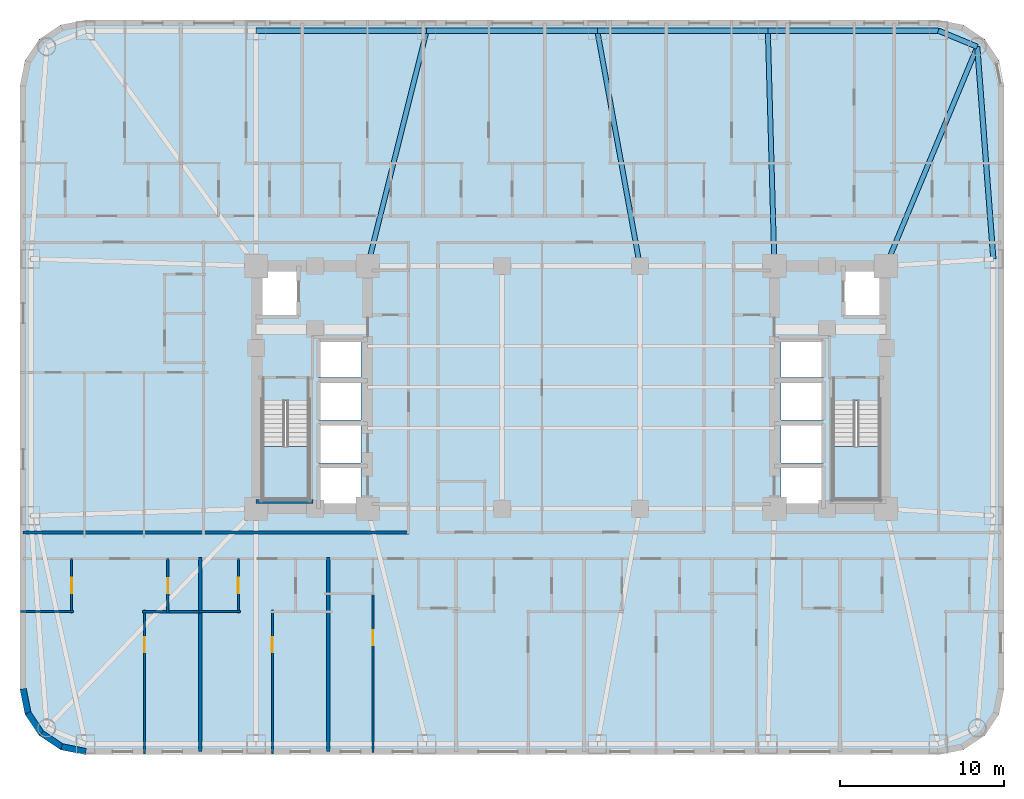
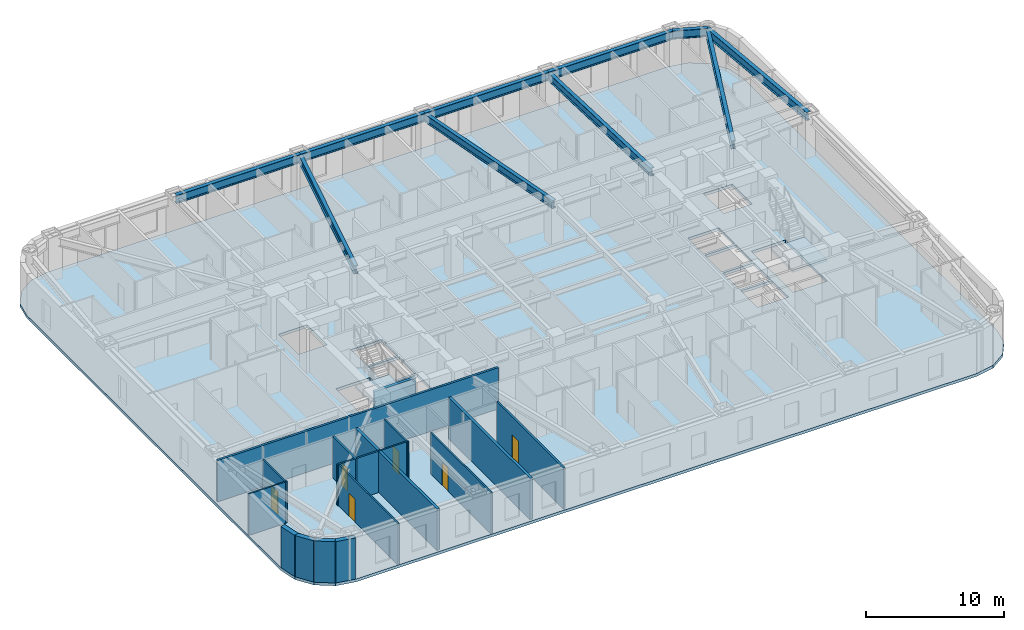
# One storey, part 2 of 11: 17 walls, 10 beams, 6 doors, 3 slabs, 6 openings, 2 elements without a shape of their own.
"""IFC4 building model written with IfcOpenShell, lengths in metres."""

import ifcopenshell
import ifcopenshell.guid

model = None  # the IFC model being written
_history = None  # IfcOwnerHistory: only IFC2X3 demands one
_inside = {}  # id of a spatial element -> (the spatial element, [elements in it])
_under = {}  # id of a project, library or spatial element -> (it, [spatial elements below it])
_declared = {}  # id of a project -> (the project, [libraries it declares])
_typed = {}  # id of a type object -> (the type object, [elements of that type])
_made_of = {}  # id of a material, layer set ... -> (it, [elements and type objects made of it])


def new_model(schema):
    """Start an empty IFC model of exactly this schema.

    Asked for "IFC4X3", IfcOpenShell would pick the latest addendum, in which some entities
    have other attributes; the version numbers below select the first issue.
    IFC2X3 requires an IfcOwnerHistory on every rooted entity: one is made here for all.
    """
    global model, _history
    if schema == "IFC4X3":
        model = ifcopenshell.file(schema_version=(4, 3, 0, 0))
    else:
        model = ifcopenshell.file(schema=schema)
    _inside.clear()
    _under.clear()
    _declared.clear()
    _typed.clear()
    _made_of.clear()
    _history = None
    if model.schema == "IFC2X3":
        org = make("IfcOrganization", Name="unknown")
        user = make(
            "IfcPersonAndOrganization",
            ThePerson=make("IfcPerson", FamilyName="unknown"),
            TheOrganization=org,
        )
        app = make(
            "IfcApplication",
            ApplicationDeveloper=org,
            Version="unknown",
            ApplicationFullName="unknown",
            ApplicationIdentifier="unknown",
        )
        _history = make(
            "IfcOwnerHistory",
            OwningUser=user,
            OwningApplication=app,
            ChangeAction="ADDED",
            CreationDate=0,
        )
    return model


def make(cls, **values):
    """One entity of the class cls with the attributes given. An attribute that is None is left unset."""
    return model.create_entity(
        cls, **{name: value for name, value in values.items() if value is not None}
    )


def rooted(cls, **values):
    """An entity with a GlobalId (a new one), such as an element, a storey or a relation."""
    return make(cls, GlobalId=ifcopenshell.guid.new(), OwnerHistory=_history, **values)


def si_unit(unit_type, name, prefix=None):
    """IfcSIUnit, for example si_unit("LENGTHUNIT", "METRE", prefix="MILLI")."""
    return make("IfcSIUnit", UnitType=unit_type, Prefix=prefix, Name=name)


def assignment(units):
    """IfcUnitAssignment: the units of a project."""
    return None if units is None else make("IfcUnitAssignment", Units=units)


def point(xyz):
    """IfcCartesianPoint."""
    return None if xyz is None else make("IfcCartesianPoint", Coordinates=xyz)


def direction(xyz):
    """IfcDirection."""
    return None if xyz is None else make("IfcDirection", DirectionRatios=xyz)


def frame(location, z_axis=None, x_axis=None):
    """IfcAxis2Placement3D, a coordinate frame: its origin and axes. An axis left out is left unset."""
    return make(
        "IfcAxis2Placement3D",
        Location=point(location),
        Axis=direction(z_axis),
        RefDirection=direction(x_axis),
    )


def frame_2d(location, x_axis=None):
    """IfcAxis2Placement2D, a coordinate frame in the plane: its origin and x axis."""
    return make(
        "IfcAxis2Placement2D", Location=point(location), RefDirection=direction(x_axis)
    )


def origin():
    """The frame at (0, 0, 0) with its axes left unset."""
    return frame((0.0, 0.0, 0.0))


def origin_2d():
    """The frame at (0, 0) in the plane with its x axis left unset."""
    return frame_2d((0.0, 0.0))


def place(relative_to, where):
    """IfcLocalPlacement: puts the frame where relative to a parent placement (None: the world)."""
    return make(
        "IfcLocalPlacement", PlacementRelTo=relative_to, RelativePlacement=where
    )


def context(
    kind, dimensions, precision=None, world=None, true_north=None, identifier=None
):
    """IfcGeometricRepresentationContext, for example the 3D "Model" context."""
    return make(
        "IfcGeometricRepresentationContext",
        ContextIdentifier=identifier,
        ContextType=kind,
        CoordinateSpaceDimension=dimensions,
        Precision=precision,
        WorldCoordinateSystem=world,
        TrueNorth=true_north,
    )


def subcontext(parent, identifier, kind, view, scale=None):
    """IfcGeometricRepresentationSubContext, for example "Body" below "Model"."""
    return make(
        "IfcGeometricRepresentationSubContext",
        ContextIdentifier=identifier,
        ContextType=kind,
        ParentContext=parent,
        TargetScale=scale,
        TargetView=view,
    )


def project(units=None, contexts=None):
    """IfcProject with its units and contexts."""
    return rooted(
        "IfcProject",
        Name="project",
        RepresentationContexts=contexts,
        UnitsInContext=assignment(units),
    )


def spatial(cls, under=None, at=None, **own):
    """A site, building, storey or space (cls), placed at a placement, below another one or the project."""
    s = rooted(cls, ObjectPlacement=at, **own)
    if under is not None:
        _under.setdefault(under.id(), (under, []))[1].append(s)
    return s


def polyline(points):
    """IfcPolyline through the points."""
    return make("IfcPolyline", Points=[point(p) for p in points])


def profile(cls, at=None, kind="AREA", **sizes):
    """A parametric profile (cls). Its sizes go by their IFC names, for example OverallWidth=200.0."""
    return make(cls, ProfileType=kind, Position=at, **sizes)


def rectangle(**sizes):
    """IfcRectangleProfileDef."""
    return profile("IfcRectangleProfileDef", **sizes)


def i_section(**sizes):
    """IfcIShapeProfileDef."""
    return profile("IfcIShapeProfileDef", **sizes)


def outline(outer, holes=None, kind="AREA"):
    """IfcArbitraryClosedProfileDef: a profile drawn as a closed curve; with holes, ...WithVoids."""
    if holes is None:
        return make("IfcArbitraryClosedProfileDef", ProfileType=kind, OuterCurve=outer)
    return make(
        "IfcArbitraryProfileDefWithVoids",
        ProfileType=kind,
        OuterCurve=outer,
        InnerCurves=holes,
    )


def extrude(swept, where, along, depth):
    """IfcExtrudedAreaSolid: the profile swept, set in the frame where, extruded along a direction by depth."""
    return make(
        "IfcExtrudedAreaSolid",
        SweptArea=swept,
        Position=where,
        ExtrudedDirection=direction(along),
        Depth=depth,
    )


def shape(context_of_items, identifier, shape_type, items):
    """IfcShapeRepresentation: the items that make up one representation, for example the "Body"."""
    return make(
        "IfcShapeRepresentation",
        ContextOfItems=context_of_items,
        RepresentationIdentifier=identifier,
        RepresentationType=shape_type,
        Items=items,
    )


def material(Name=None, Category=None):
    """IfcMaterial."""
    return make("IfcMaterial", Name=Name, Category=Category)


def layer(
    of_material, thickness, ventilated=None, Name=None, Category=None, Priority=None
):
    """IfcMaterialLayer: one layer of a wall or slab, of a material (None: an air gap)."""
    return make(
        "IfcMaterialLayer",
        Material=of_material,
        LayerThickness=thickness,
        IsVentilated=ventilated,
        Name=Name,
        Category=Category,
        Priority=Priority,
    )


def layer_set(layers, Name=None):
    """IfcMaterialLayerSet."""
    return make("IfcMaterialLayerSet", MaterialLayers=layers, LayerSetName=Name)


def material_profile(
    of_material, cross_section, Name=None, Category=None, Priority=None
):
    """IfcMaterialProfile: a cross section and its material."""
    return make(
        "IfcMaterialProfile",
        Name=Name,
        Material=of_material,
        Profile=cross_section,
        Priority=Priority,
        Category=Category,
    )


def profile_set(profiles, Name=None, composite=None):
    """IfcMaterialProfileSet."""
    return make(
        "IfcMaterialProfileSet",
        Name=Name,
        MaterialProfiles=profiles,
        CompositeProfile=composite,
    )


def made_of(thing, what):
    """Note that an element or type object is made of a material, layer set ...; save() writes the relation."""
    if what is not None:
        _made_of.setdefault(what.id(), (what, []))[1].append(thing)
    return thing


def type_object(cls, material=None, **own):
    """A type object (cls), such as IfcWallType, which elements share."""
    return made_of(rooted(cls, **own), material)


def element(
    cls,
    number,
    at=None,
    inside=None,
    cuts=None,
    type_object=None,
    material=None,
    context=None,
    identifier="Body",
    shape_type=None,
    held_by="IfcProductDefinitionShape",
    body=None,
    shapes=None,
    **own,
):
    """One element of the class cls, such as IfcWall. Its Tag is "e" and its number.

    at: its placement. inside: the storey or other place that contains it. cuts: it is an
    opening in that element (IfcRelVoidsElement). A single representation is given by context,
    identifier, shape_type and body (its items); several are given by shapes. held_by: the class
    of the entity that holds the representations. save() writes the other relations.
    """
    e = rooted(cls, Tag="e%d" % number, ObjectPlacement=at, **own)
    if body is not None:
        shapes = [shape(context, identifier, shape_type, body)]
    if shapes is not None:
        e.Representation = make(held_by, Representations=shapes)
    if inside is not None:
        _inside.setdefault(inside.id(), (inside, []))[1].append(e)
    if cuts is not None:
        rooted(
            "IfcRelVoidsElement", RelatingBuildingElement=cuts, RelatedOpeningElement=e
        )
    if type_object is not None:
        _typed.setdefault(type_object.id(), (type_object, []))[1].append(e)
    return made_of(e, material)


def fill(opening, filler):
    """IfcRelFillsElement: the door or window that sits in an opening."""
    return rooted(
        "IfcRelFillsElement",
        RelatingOpeningElement=opening,
        RelatedBuildingElement=filler,
    )


def aggregate(whole, parts):
    """IfcRelAggregates: a whole, such as a stair, and the parts it consists of."""
    return rooted("IfcRelAggregates", RelatingObject=whole, RelatedObjects=parts)


def save(model, path):
    """Write the relations noted so far, then the file.

    IfcRelAggregates (storeys below a building ...), IfcRelContainedInSpatialStructure (elements
    in a storey), IfcRelDefinesByType, IfcRelAssociatesMaterial and IfcRelDeclares: one each for
    every whole, place, type object, material and project.
    """
    for whole, parts in _under.values():
        aggregate(whole, parts)
    for where, things in _inside.values():
        rooted(
            "IfcRelContainedInSpatialStructure",
            RelatedElements=things,
            RelatingStructure=where,
        )
    for kind, things in _typed.values():
        rooted("IfcRelDefinesByType", RelatedObjects=things, RelatingType=kind)
    for what, things in _made_of.values():
        rooted("IfcRelAssociatesMaterial", RelatedObjects=things, RelatingMaterial=what)
    for by, libraries in _declared.values():
        rooted("IfcRelDeclares", RelatingContext=by, RelatedDefinitions=libraries)
    model.write(path)


model = new_model("IFC4")

# Units and contexts
model_context = context("Model", 3, precision=1e-05, world=origin(), true_north=direction((0.0, 1.0)))
body_context = subcontext(model_context, "Body", "Model", "MODEL_VIEW")
ifc_project = project(units=[si_unit("LENGTHUNIT", "METRE"), si_unit("AREAUNIT", "SQUARE_METRE"), si_unit("VOLUMEUNIT", "CUBIC_METRE"), si_unit("PLANEANGLEUNIT", "RADIAN"), si_unit("MASSUNIT", "GRAM", prefix="KILO")], contexts=[model_context])

# Site, building, storey
site_placement = place(None, origin())
site = spatial("IfcSite", under=ifc_project, at=site_placement, CompositionType="ELEMENT")
building_placement = place(site_placement, origin())
building = spatial("IfcBuilding", under=site, at=building_placement, Name="Voryun Gate Residences", CompositionType="ELEMENT")
storey_placement = place(building_placement, frame((0.0, 0.0, 57.199951171875)))
storey = spatial("IfcBuildingStorey", under=building, at=storey_placement, Name="L13", CompositionType="ELEMENT", Elevation=57.199951171875)

# Beams
ifc_material_1 = material(Name="Steel SM355", Category="steel")
ifc_material_profile_1 = material_profile(ifc_material_1, i_section(OverallWidth=0.320068359375, OverallDepth=0.75, WebThickness=0.01611328125, FlangeThickness=0.028076171875, FilletRadius=0.01806640625, at=origin_2d()), Name="H-750x320x16x28")
ifc_profile_set_1 = profile_set([ifc_material_profile_1], Name="Steel SM355")
beam_type_1 = type_object("IfcBeamType", Name="BM_EXO_SPANDREL_L", PredefinedType="SPANDREL", material=ifc_profile_set_1)
beam_1_placement = place(storey_placement, frame((25.75, 7.830078125, 3.275146484375), z_axis=(-0.075617360159, 0.997136908776, 0.0), x_axis=(-0.997136908776, -0.075617360159, 0.0)))
element("IfcBeam", 1, at=beam_1_placement, inside=storey, type_object=beam_type_1, Name="BM-L13-SPAND-09", PredefinedType="SPANDREL", context=body_context, shape_type="SweptSolid", body=[
    extrude(i_section(OverallWidth=0.320068359375, OverallDepth=0.75, WebThickness=0.01611328125, FlangeThickness=0.028076171875, FilletRadius=0.01806640625, at=origin_2d()), origin(), (0.0, 0.0, 1.0), 12.975830078125),
])
beam_2_placement = place(storey_placement, frame((24.768798828125, 20.768798828125, 3.275146484375), z_axis=(-0.923883376753, 0.382674151414, 0.0), x_axis=(-0.382674151414, -0.923883376753, 0.0)))
element("IfcBeam", 2, at=beam_2_placement, inside=storey, type_object=beam_type_1, Name="BM-L13-SPAND-10", PredefinedType="SPANDREL", context=body_context, shape_type="SweptSolid", body=[
    extrude(i_section(OverallWidth=0.320068359375, OverallDepth=0.75, WebThickness=0.01611328125, FlangeThickness=0.028076171875, FilletRadius=0.01806640625, at=origin_2d()), origin(), (0.0, 0.0, 1.0), 2.56396484375),
])
for number, where, z_axis, x_axis, name in (
    (3, (22.39990234375, 21.75, 3.275146484375), (-1.0, 0.0, 0.0), (0.0, -1.0, 0.0), "BM-L13-SPAND-11"),
    (4, (12.0, 21.75, 3.275146484375), (-1.0, 0.0, 0.0), (0.0, -1.0, 0.0), "BM-L13-SPAND-12"),
):
    element("IfcBeam", number, at=place(storey_placement, frame(where, z_axis=z_axis, x_axis=x_axis)), inside=storey, type_object=beam_type_1, Name=name, PredefinedType="SPANDREL", context=body_context, shape_type="SweptSolid", body=[
        extrude(i_section(OverallWidth=0.320068359375, OverallDepth=0.75, WebThickness=0.01611328125, FlangeThickness=0.028076171875, FilletRadius=0.01806640625, at=origin_2d()), origin(), (0.0, 0.0, 1.0), 10.39990234375),
    ])
beam_3_placement = place(storey_placement, frame((1.60009765625, 21.75, 3.275146484375), z_axis=(-1.0, 0.0, 0.0), x_axis=(0.0, -1.0, 0.0)))
element("IfcBeam", 5, at=beam_3_placement, inside=storey, type_object=beam_type_1, Name="BM-L13-SPAND-13", PredefinedType="SPANDREL", context=body_context, shape_type="SweptSolid", body=[
    extrude(i_section(OverallWidth=0.320068359375, OverallDepth=0.75, WebThickness=0.01611328125, FlangeThickness=0.028076171875, FilletRadius=0.01806640625, at=origin_2d()), origin(), (0.0, 0.0, 1.0), 10.400146484375),
])
beam_4_placement = place(storey_placement, frame((-8.800048828125, 21.75, 3.275146484375), z_axis=(-1.0, 0.0, 0.0), x_axis=(0.0, -1.0, 0.0)))
element("IfcBeam", 6, at=beam_4_placement, inside=storey, type_object=beam_type_1, Name="BM-L13-SPAND-14", PredefinedType="SPANDREL", context=body_context, shape_type="SweptSolid", body=[
    extrude(i_section(OverallWidth=0.320068359375, OverallDepth=0.75, WebThickness=0.01611328125, FlangeThickness=0.028076171875, FilletRadius=0.01806640625, at=origin_2d()), origin(), (0.0, 0.0, 1.0), 10.39990234375),
])
ifc_material_2 = material(Name="Steel SM355", Category="steel")
ifc_material_profile_2 = material_profile(ifc_material_2, i_section(OverallWidth=0.300048828125, OverallDepth=0.699951171875, WebThickness=0.012939453125, FlangeThickness=0.02392578125, FilletRadius=0.01806640625, at=origin_2d()), Name="H-700x300x13x24")
ifc_profile_set_2 = profile_set([ifc_material_profile_2], Name="Steel SM355")
beam_type_2 = type_object("IfcBeamType", Name="BM_GIRD_700", PredefinedType="USERDEFINED", material=ifc_profile_set_2)
beam_5_placement = place(storey_placement, frame((19.199951171875, 7.39990234375, 3.300048828125), z_axis=(0.384525607719, 0.923114324993, 0.0), x_axis=(-0.923114324993, 0.384525607719, 0.0)))
element("IfcBeam", 7, at=beam_5_placement, inside=storey, type_object=beam_type_2, Name="BM-L13-RAD-CNE", ObjectType="GIRDER", PredefinedType="USERDEFINED", context=body_context, shape_type="SweptSolid", body=[
    extrude(i_section(OverallWidth=0.300048828125, OverallDepth=0.699951171875, WebThickness=0.012939453125, FlangeThickness=0.02392578125, FilletRadius=0.01806640625, at=origin_2d()), origin(), (0.0, 0.0, 1.0), 14.482421875),
])
beam_6_placement = place(storey_placement, frame((12.39990234375, 7.39990234375, 3.300048828125), z_axis=(-0.0278567548, 0.999611925305, 0.0), x_axis=(-0.999611925305, -0.0278567548, 0.0)))
element("IfcBeam", 8, at=beam_6_placement, inside=storey, type_object=beam_type_2, Name="BM-L13-RAD-N2", ObjectType="GIRDER", PredefinedType="USERDEFINED", context=body_context, shape_type="SweptSolid", body=[
    extrude(i_section(OverallWidth=0.300048828125, OverallDepth=0.699951171875, WebThickness=0.012939453125, FlangeThickness=0.02392578125, FilletRadius=0.01806640625, at=origin_2d()), origin(), (0.0, 0.0, 1.0), 14.355712890625),
])
beam_7_placement = place(storey_placement, frame((4.199951171875, 7.39990234375, 3.300048828125), z_axis=(-0.178271088758, 0.983981411874, 0.0), x_axis=(-0.983981411874, -0.178271088758, 0.0)))
element("IfcBeam", 9, at=beam_7_placement, inside=storey, type_object=beam_type_2, Name="BM-L13-RAD-N3", ObjectType="GIRDER", PredefinedType="USERDEFINED", context=body_context, shape_type="SweptSolid", body=[
    extrude(i_section(OverallWidth=0.300048828125, OverallDepth=0.699951171875, WebThickness=0.012939453125, FlangeThickness=0.02392578125, FilletRadius=0.01806640625, at=origin_2d()), origin(), (0.0, 0.0, 1.0), 14.583740234375),
])
beam_8_placement = place(storey_placement, frame((-12.39990234375, 7.39990234375, 3.300048828125), z_axis=(0.243319869291, 0.969946102218, 0.0), x_axis=(-0.969946102218, 0.243319869291, 0.0)))
element("IfcBeam", 10, at=beam_8_placement, inside=storey, type_object=beam_type_2, Name="BM-L13-RAD-N4", ObjectType="GIRDER", PredefinedType="USERDEFINED", context=body_context, shape_type="SweptSolid", body=[
    extrude(i_section(OverallWidth=0.300048828125, OverallDepth=0.699951171875, WebThickness=0.012939453125, FlangeThickness=0.02392578125, FilletRadius=0.01806640625, at=origin_2d()), origin(), (0.0, 0.0, 1.0), 14.794677734375),
])

# Slab
ifc_material_3 = material(Name="Concrete C40/50", Category="concrete")
ifc_layer_1 = layer(ifc_material_3, 0.25, Name="SLB_RES_250")
ifc_layer_set_1 = layer_set([ifc_layer_1], Name="Concrete C40/50")
slab_type_1 = type_object("IfcSlabType", Name="SLB_RES_250", PredefinedType="FLOOR", material=ifc_layer_set_1)
slab_1_placement = place(storey_placement, frame((0.0, 0.0, -0.25)))
element("IfcSlab", 11, at=slab_1_placement, inside=storey, type_object=slab_type_1, Name="L13 Structural Floor Slab", PredefinedType="FLOOR", context=body_context, shape_type="SweptSolid", body=[
    extrude(outline(polyline([(-29.60009765625, -22.39990234375), (-31.130615234375, -22.095458984375), (-32.428466796875, -21.228515625), (-33.29541015625, -19.9306640625), (-33.60009765625, -18.39990234375), (-33.60009765625, 18.39990234375), (-33.29541015625, 19.9306640625), (-32.428466796875, 21.228515625), (-31.130615234375, 22.095458984375), (-29.60009765625, 22.39990234375), (22.39990234375, 22.39990234375), (23.9306640625, 22.095458984375), (25.228515625, 21.228515625), (26.095458984375, 19.9306640625), (26.39990234375, 18.39990234375), (26.39990234375, -18.39990234375), (26.095458984375, -19.9306640625), (25.228515625, -21.228515625), (23.9306640625, -22.095458984375), (22.39990234375, -22.39990234375), (-29.60009765625, -22.39990234375)]), holes=[polyline([(-12.800048828125, -4.800048828125), (-15.39990234375, -4.800048828125), (-15.39990234375, -7.199951171875), (-12.800048828125, -7.199951171875), (-12.800048828125, -4.800048828125)]), polyline([(-18.824951171875, -6.85009765625), (-15.97509765625, -6.85009765625), (-15.97509765625, -0.840087890625), (-18.824951171875, -0.840087890625), (-18.824951171875, -6.85009765625)]), polyline([(-12.800048828125, -4.60009765625), (-12.800048828125, -2.199951171875), (-15.39990234375, -2.199951171875), (-15.39990234375, -4.60009765625), (-12.800048828125, -4.60009765625)]), polyline([(-12.800048828125, 0.39990234375), (-15.39990234375, 0.39990234375), (-15.39990234375, -2.0), (-12.800048828125, -2.0), (-12.800048828125, 0.39990234375)]), polyline([(-12.800048828125, 0.60009765625), (-12.800048828125, 2.89990234375), (-15.39990234375, 2.89990234375), (-15.39990234375, 0.60009765625), (-12.800048828125, 0.60009765625)]), polyline([(-16.60009765625, 4.300048828125), (-16.60009765625, 7.199951171875), (-19.0, 7.199951171875), (-19.0, 4.300048828125), (-16.60009765625, 4.300048828125)]), polyline([(15.39990234375, -4.800048828125), (12.800048828125, -4.800048828125), (12.800048828125, -7.199951171875), (15.39990234375, -7.199951171875), (15.39990234375, -4.800048828125)]), polyline([(15.97509765625, -6.85009765625), (18.824951171875, -6.85009765625), (18.824951171875, -0.840087890625), (15.97509765625, -0.840087890625), (15.97509765625, -6.85009765625)]), polyline([(15.39990234375, -4.60009765625), (15.39990234375, -2.199951171875), (12.800048828125, -2.199951171875), (12.800048828125, -4.60009765625), (15.39990234375, -4.60009765625)]), polyline([(15.39990234375, 0.39990234375), (12.800048828125, 0.39990234375), (12.800048828125, -2.0), (15.39990234375, -2.0), (15.39990234375, 0.39990234375)]), polyline([(15.39990234375, 0.60009765625), (15.39990234375, 2.89990234375), (12.800048828125, 2.89990234375), (12.800048828125, 0.60009765625), (15.39990234375, 0.60009765625)]), polyline([(19.0, 4.300048828125), (19.0, 7.199951171875), (16.60009765625, 7.199951171875), (16.60009765625, 4.300048828125), (19.0, 4.300048828125)])]), origin(), (0.0, 0.0, 1.0), 0.25),
])

# Stair, slab
ifc_material_4 = material(Name="Concrete C40/50", Category="concrete")
stair_type = type_object("IfcStairType", Name="STR_CORE_DOGLEG_1350", PredefinedType="HALF_TURN_STAIR", material=ifc_material_4)
stair_1_placement = place(storey_placement, origin())
stair_1 = element("IfcStair", 12, at=stair_1_placement, inside=storey, type_object=stair_type, Name="L13 Special Escape Stair ST-W1", PredefinedType="HALF_TURN_STAIR")
ifc_material_5 = material(Name="Concrete C40/50", Category="concrete")
ifc_layer_2 = layer(ifc_material_5, 0.199951171875, Name="SLB_STAIR_LANDING_200")
ifc_layer_set_2 = layer_set([ifc_layer_2], Name="Concrete C40/50")
slab_type_2 = type_object("IfcSlabType", Name="SLB_STAIR_LANDING_200", PredefinedType="LANDING", material=ifc_layer_set_2)
slab_2_placement = place(storey_placement, frame((0.0, 0.0, 1.75)))
slab_2 = element("IfcSlab", 13, at=slab_2_placement, type_object=slab_type_2, Name="ST-W1 landing 1", PredefinedType="LANDING", context=body_context, shape_type="SweptSolid", body=[
    extrude(outline(polyline([(-18.824951171875, -3.60009765625), (-18.824951171875, -6.85009765625), (-15.97509765625, -6.85009765625), (-15.97509765625, -3.60009765625), (-18.824951171875, -3.60009765625)])), origin(), (0.0, 0.0, 1.0), 0.199951171875),
])
aggregate(stair_1, [slab_2])

stair_2_placement = place(storey_placement, origin())
stair_2 = element("IfcStair", 14, at=stair_2_placement, inside=storey, type_object=stair_type, Name="L13 Special Escape Stair ST-E1", PredefinedType="HALF_TURN_STAIR")
slab_3_placement = place(storey_placement, frame((0.0, 0.0, 1.75)))
slab_3 = element("IfcSlab", 15, at=slab_3_placement, type_object=slab_type_2, Name="ST-E1 landing 1", PredefinedType="LANDING", context=body_context, shape_type="SweptSolid", body=[
    extrude(outline(polyline([(15.97509765625, -3.60009765625), (15.97509765625, -6.85009765625), (18.824951171875, -6.85009765625), (18.824951171875, -3.60009765625), (15.97509765625, -3.60009765625)])), origin(), (0.0, 0.0, 1.0), 0.199951171875),
])
aggregate(stair_2, [slab_3])

# Walls
ifc_material_6 = material(Name="Gypsum acoustic fireboard")
ifc_layer_3 = layer(ifc_material_6, 0.179931640625, Name="W_CORR_RATED_180")
ifc_layer_set_3 = layer_set([ifc_layer_3], Name="Gypsum acoustic fireboard")
wall_type_1 = type_object("IfcWallType", Name="W_CORR_RATED_180", PredefinedType="PARTITIONING", material=ifc_layer_set_3)
wall_1_placement = place(storey_placement, frame((-33.409912109375, -8.840087890625, 0.0), z_axis=(0.0, 0.0, 1.0), x_axis=(1.0, 0.0, 0.0)))
element("IfcWall", 16, at=wall_1_placement, inside=storey, type_object=wall_type_1, Name="Partition wall WP-L13-CWING-WS", PredefinedType="PARTITIONING", context=body_context, shape_type="SweptSolid", body=[
    extrude(rectangle(XDim=23.530029296875, YDim=0.179931640625, at=frame_2d((11.76513671875, 0.0))), origin(), (0.0, 0.0, 1.0), 3.650146484375),
])
ifc_material_7 = material(Name="Granite masonry", Category="masonry")
ifc_layer_4 = layer(ifc_material_7, 0.3798828125, Name="W_EXT_GRANITE_380")
ifc_layer_set_4 = layer_set([ifc_layer_4], Name="Granite masonry")
wall_type_2 = type_object("IfcWallType", Name="W_EXT_GRANITE_380", PredefinedType="ELEMENTEDWALL", material=ifc_layer_set_4)
wall_2_placement = place(storey_placement, frame((-29.581298828125, -22.2099609375, 0.0), z_axis=(0.0, 0.0, 1.0), x_axis=(-0.980786132421, 0.195086038585, 0.0)))
element("IfcWall", 17, at=wall_2_placement, inside=storey, type_object=wall_type_2, Name="Exterior wall WEXT-L13-02", PredefinedType="ELEMENTEDWALL", context=body_context, shape_type="SweptSolid", body=[
    extrude(rectangle(XDim=1.504150390625, YDim=0.3798828125, at=frame_2d((0.751953125, 0.0))), origin(), (0.0, 0.0, 1.0), 3.650146484375),
])
wall_3_placement = place(storey_placement, frame((-31.056640625, -21.91650390625, 0.0), z_axis=(0.0, 0.0, 1.0), x_axis=(-0.831442848281, 0.555610286119, 0.0)))
element("IfcWall", 18, at=wall_3_placement, inside=storey, type_object=wall_type_2, Name="Exterior wall WEXT-L13-03", PredefinedType="ELEMENTEDWALL", context=body_context, shape_type="SweptSolid", body=[
    extrude(rectangle(XDim=1.485107421875, YDim=0.3798828125, at=frame_2d((0.74267578125, 0.0))), origin(), (0.0, 0.0, 1.0), 3.650146484375),
])
wall_4_placement = place(storey_placement, frame((-32.29150390625, -21.09130859375, 0.0), z_axis=(0.0, 0.0, 1.0), x_axis=(-0.555572577804, 0.831468045563, 0.0)))
element("IfcWall", 19, at=wall_4_placement, inside=storey, type_object=wall_type_2, Name="Exterior wall WEXT-L13-04", PredefinedType="ELEMENTEDWALL", context=body_context, shape_type="SweptSolid", body=[
    extrude(rectangle(XDim=1.48486328125, YDim=0.3798828125, at=frame_2d((0.742431640625, 0.0))), origin(), (0.0, 0.0, 1.0), 3.650146484375),
])
wall_5_placement = place(storey_placement, frame((-33.116455078125, -19.856689453125, 0.0), z_axis=(0.0, 0.0, 1.0), x_axis=(-0.195086038585, 0.980786132421, 0.0)))
element("IfcWall", 20, at=wall_5_placement, inside=storey, type_object=wall_type_2, Name="Exterior wall WEXT-L13-05", PredefinedType="ELEMENTEDWALL", context=body_context, shape_type="SweptSolid", body=[
    extrude(rectangle(XDim=1.504150390625, YDim=0.3798828125, at=frame_2d((0.751953125, 0.0))), origin(), (0.0, 0.0, 1.0), 3.650146484375),
])
ifc_material_8 = material(Name="Concrete C40/50", Category="concrete")
ifc_layer_5 = layer(ifc_material_8, 0.219970703125, Name="W_PARTY_ACOUSTIC_220")
ifc_layer_set_5 = layer_set([ifc_layer_5], Name="Concrete C40/50")
wall_type_3 = type_object("IfcWallType", Name="W_PARTY_ACOUSTIC_220", PredefinedType="PARTITIONING", material=ifc_layer_set_5)
for number, where, z_axis, x_axis, name in (
    (21, (-22.60009765625, -22.2099609375, 0.0), (0.0, 0.0, 1.0), (0.0, 1.0, 0.0), "Partition wall WP-L13-SPTY-1"),
    (22, (-14.800048828125, -22.2099609375, 0.0), (0.0, 0.0, 1.0), (0.0, 1.0, 0.0), "Partition wall WP-L13-SPTY-2"),
):
    element("IfcWall", number, at=place(storey_placement, frame(where, z_axis=z_axis, x_axis=x_axis)), inside=storey, type_object=wall_type_3, Name=name, PredefinedType="PARTITIONING", context=body_context, shape_type="SweptSolid", body=[
        extrude(rectangle(XDim=11.83984375, YDim=0.219970703125, at=frame_2d((5.919921875, 0.0))), origin(), (0.0, 0.0, 1.0), 3.650146484375),
    ])
ifc_material_9 = material(Name="Concrete C50/60", Category="concrete")
ifc_layer_6 = layer(ifc_material_9, 0.25, Name="W_SHAFT_RC250")
ifc_layer_set_6 = layer_set([ifc_layer_6], Name="Concrete C50/60")
wall_type_4 = type_object("IfcWallType", Name="W_SHAFT_RC250", PredefinedType="SOLIDWALL", material=ifc_layer_set_6)
wall_6_placement = place(storey_placement, frame((-19.199951171875, -6.965087890625, 0.0), z_axis=(0.0, 0.0, 1.0), x_axis=(1.0, 0.0, 0.0)))
element("IfcWall", 23, at=wall_6_placement, inside=storey, type_object=wall_type_4, Name="L13 Stair shaft structural wall W-STS", PredefinedType="SOLIDWALL", context=body_context, shape_type="SweptSolid", body=[
    extrude(rectangle(XDim=3.4599609375, YDim=0.25, at=frame_2d((1.72998046875, 0.0))), origin(), (0.0, 0.0, 1.0), 3.650146484375),
])

# Wall, opening, door
ifc_material_10 = material(Name="Gypsum acoustic partition")
ifc_layer_7 = layer(ifc_material_10, 0.125, Name="W_UNIT_PART_125")
ifc_layer_set_7 = layer_set([ifc_layer_7], Name="Gypsum acoustic partition")
wall_type_5 = type_object("IfcWallType", Name="W_UNIT_PART_125", PredefinedType="PARTITIONING", material=ifc_layer_set_7)
wall_7_placement = place(storey_placement, frame((-26.010009765625, -22.360107421875, 0.0), z_axis=(0.0, 0.0, 1.0), x_axis=(0.0, 1.0, 0.0)))
wall_7 = element("IfcWall", 24, at=wall_7_placement, inside=storey, type_object=wall_type_5, Name="Partition wall WP-L13-S1-OVR", PredefinedType="PARTITIONING", context=body_context, shape_type="SweptSolid", body=[
    extrude(rectangle(XDim=8.77001953125, YDim=0.125, at=frame_2d((4.385009765625, 0.0))), origin(), (0.0, 0.0, 1.0), 3.650146484375),
])
opening_1_placement = place(wall_7_placement, frame((6.215087890625, 0.0, 0.0)))
opening_1 = element("IfcOpeningElement", 25, at=opening_1_placement, cuts=wall_7, Name="Opening D-INT-2", PredefinedType="OPENING", context=body_context, shape_type="SweptSolid", body=[
    extrude(rectangle(XDim=0.89990234375, YDim=2.050048828125, at=frame_2d((0.449951171875, 1.02490234375))), frame((0.0, 0.072509765625, 0.0), z_axis=(0.0, -1.0, 0.0), x_axis=(1.0, 0.0, 0.0)), (0.0, 0.0, 1.0), 0.14501953125),
])
ifc_material_11 = material(Name="Architectural oak veneer")
door_type_1 = type_object("IfcDoorType", Name="DR_INT_BATH_900", OperationType="NOTDEFINED", PredefinedType="DOOR", material=ifc_material_11)
door_1_placement = place(opening_1_placement, origin())
door_1 = element("IfcDoor", 26, at=door_1_placement, inside=storey, type_object=door_type_1, Name="Door DR-L13-S1-DMB", OperationType="SINGLE_SWING_RIGHT", OverallHeight=2.050048828125, OverallWidth=0.89990234375, PredefinedType="DOOR", context=body_context, shape_type="SweptSolid", body=[
    extrude(rectangle(XDim=0.89990234375, YDim=2.050048828125, at=frame_2d((0.449951171875, 1.02490234375))), frame((0.0, 0.02490234375, 0.0), z_axis=(0.0, -1.0, 0.0), x_axis=(1.0, 0.0, 0.0)), (0.0, 0.0, 1.0), 0.050048828125),
])
fill(opening_1, door_1)

wall_8_placement = place(storey_placement, frame((-30.448974609375, -13.75, 0.0), z_axis=(0.0, 0.0, 1.0), x_axis=(0.0, 1.0, 0.0)))
wall_8 = element("IfcWall", 27, at=wall_8_placement, inside=storey, type_object=wall_type_5, Name="Partition wall WP-L13-S1-IVK", PredefinedType="PARTITIONING", context=body_context, shape_type="SweptSolid", body=[
    extrude(rectangle(XDim=3.320068359375, YDim=0.125, at=frame_2d((1.66015625, 0.0))), origin(), (0.0, 0.0, 1.0), 3.650146484375),
])
opening_2_placement = place(wall_8_placement, frame((1.18505859375, 0.0, 0.0)))
opening_2 = element("IfcOpeningElement", 28, at=opening_2_placement, cuts=wall_8, Name="Opening D-INT-1", PredefinedType="OPENING", context=body_context, shape_type="SweptSolid", body=[
    extrude(rectangle(XDim=0.949951171875, YDim=2.050048828125, at=frame_2d((0.47509765625, 1.02490234375))), frame((0.0, 0.072509765625, 0.0), z_axis=(0.0, -1.0, 0.0), x_axis=(1.0, 0.0, 0.0)), (0.0, 0.0, 1.0), 0.14501953125),
])
ifc_material_12 = material(Name="Architectural oak veneer")
door_type_2 = type_object("IfcDoorType", Name="DR_INT_ROOM_950", OperationType="NOTDEFINED", PredefinedType="DOOR", material=ifc_material_12)
door_2_placement = place(opening_2_placement, origin())
door_2 = element("IfcDoor", 29, at=door_2_placement, inside=storey, type_object=door_type_2, Name="Door DR-L13-S1-DK", OperationType="SINGLE_SWING_LEFT", OverallHeight=2.050048828125, OverallWidth=0.949951171875, PredefinedType="DOOR", context=body_context, shape_type="SweptSolid", body=[
    extrude(rectangle(XDim=0.949951171875, YDim=2.050048828125, at=frame_2d((0.47509765625, 1.02490234375))), frame((0.0, 0.02490234375, 0.0), z_axis=(0.0, -1.0, 0.0), x_axis=(1.0, 0.0, 0.0)), (0.0, 0.0, 1.0), 0.050048828125),
])
fill(opening_2, door_2)

# Wall
wall_9_placement = place(storey_placement, frame((-33.56005859375, -13.669921875, 0.0), z_axis=(0.0, 0.0, 1.0), x_axis=(1.0, 0.0, 0.0)))
element("IfcWall", 30, at=wall_9_placement, inside=storey, type_object=wall_type_5, Name="Partition wall WP-L13-S1-HZK", PredefinedType="PARTITIONING", context=body_context, shape_type="SweptSolid", body=[
    extrude(rectangle(XDim=3.23095703125, YDim=0.125, at=frame_2d((1.615478515625, 0.0))), origin(), (0.0, 0.0, 1.0), 3.650146484375),
])

# Wall, opening, door
wall_10_placement = place(storey_placement, frame((-18.2099609375, -22.360107421875, 0.0), z_axis=(0.0, 0.0, 1.0), x_axis=(0.0, 1.0, 0.0)))
wall_10 = element("IfcWall", 31, at=wall_10_placement, inside=storey, type_object=wall_type_5, Name="Partition wall WP-L13-S2-OVR", PredefinedType="PARTITIONING", context=body_context, shape_type="SweptSolid", body=[
    extrude(rectangle(XDim=8.77001953125, YDim=0.125, at=frame_2d((4.385009765625, 0.0))), origin(), (0.0, 0.0, 1.0), 3.650146484375),
])
opening_3_placement = place(wall_10_placement, frame((6.215087890625, 0.0, 0.0)))
opening_3 = element("IfcOpeningElement", 32, at=opening_3_placement, cuts=wall_10, Name="Opening D-INT-2", PredefinedType="OPENING", context=body_context, shape_type="SweptSolid", body=[
    extrude(rectangle(XDim=0.89990234375, YDim=2.050048828125, at=frame_2d((0.449951171875, 1.02490234375))), frame((0.0, 0.072509765625, 0.0), z_axis=(0.0, -1.0, 0.0), x_axis=(1.0, 0.0, 0.0)), (0.0, 0.0, 1.0), 0.14501953125),
])
door_3_placement = place(opening_3_placement, origin())
door_3 = element("IfcDoor", 33, at=door_3_placement, inside=storey, type_object=door_type_1, Name="Door DR-L13-S2-DMB", OperationType="SINGLE_SWING_RIGHT", OverallHeight=2.050048828125, OverallWidth=0.89990234375, PredefinedType="DOOR", context=body_context, shape_type="SweptSolid", body=[
    extrude(rectangle(XDim=0.89990234375, YDim=2.050048828125, at=frame_2d((0.449951171875, 1.02490234375))), frame((0.0, 0.02490234375, 0.0), z_axis=(0.0, -1.0, 0.0), x_axis=(1.0, 0.0, 0.0)), (0.0, 0.0, 1.0), 0.050048828125),
])
fill(opening_3, door_3)

wall_11_placement = place(storey_placement, frame((-20.2900390625, -13.75, 0.0), z_axis=(0.0, 0.0, 1.0), x_axis=(0.0, 1.0, 0.0)))
wall_11 = element("IfcWall", 34, at=wall_11_placement, inside=storey, type_object=wall_type_5, Name="Partition wall WP-L13-S2-IVK", PredefinedType="PARTITIONING", context=body_context, shape_type="SweptSolid", body=[
    extrude(rectangle(XDim=3.320068359375, YDim=0.125, at=frame_2d((1.66015625, 0.0))), origin(), (0.0, 0.0, 1.0), 3.650146484375),
])
opening_4_placement = place(wall_11_placement, frame((1.18505859375, 0.0, 0.0)))
opening_4 = element("IfcOpeningElement", 35, at=opening_4_placement, cuts=wall_11, Name="Opening D-INT-1", PredefinedType="OPENING", context=body_context, shape_type="SweptSolid", body=[
    extrude(rectangle(XDim=0.949951171875, YDim=2.050048828125, at=frame_2d((0.47509765625, 1.02490234375))), frame((0.0, 0.072509765625, 0.0), z_axis=(0.0, -1.0, 0.0), x_axis=(1.0, 0.0, 0.0)), (0.0, 0.0, 1.0), 0.14501953125),
])
door_4_placement = place(opening_4_placement, origin())
door_4 = element("IfcDoor", 36, at=door_4_placement, inside=storey, type_object=door_type_2, Name="Door DR-L13-S2-DK", OperationType="SINGLE_SWING_LEFT", OverallHeight=2.050048828125, OverallWidth=0.949951171875, PredefinedType="DOOR", context=body_context, shape_type="SweptSolid", body=[
    extrude(rectangle(XDim=0.949951171875, YDim=2.050048828125, at=frame_2d((0.47509765625, 1.02490234375))), frame((0.0, 0.02490234375, 0.0), z_axis=(0.0, -1.0, 0.0), x_axis=(1.0, 0.0, 0.0)), (0.0, 0.0, 1.0), 0.050048828125),
])
fill(opening_4, door_4)

# Walls
wall_12_placement = place(storey_placement, frame((-22.675048828125, -13.669921875, 0.0), z_axis=(0.0, 0.0, 1.0), x_axis=(1.0, 0.0, 0.0)))
element("IfcWall", 37, at=wall_12_placement, inside=storey, type_object=wall_type_5, Name="Partition wall WP-L13-S2-HZK", PredefinedType="PARTITIONING", context=body_context, shape_type="SweptSolid", body=[
    extrude(rectangle(XDim=2.505126953125, YDim=0.125, at=frame_2d((1.25244140625, 0.0))), origin(), (0.0, 0.0, 1.0), 3.650146484375),
])
ifc_material_13 = material(Name="Gypsum moisture-resistant partition")
ifc_layer_8 = layer(ifc_material_13, 0.14990234375, Name="W_WET_PLUMB_150")
ifc_layer_set_8 = layer_set([ifc_layer_8], Name="Gypsum moisture-resistant partition")
wall_type_6 = type_object("IfcWallType", Name="W_WET_PLUMB_150", PredefinedType="PLUMBINGWALL", material=ifc_layer_set_8)
wall_13_placement = place(storey_placement, frame((-26.1298828125, -13.669921875, 0.0), z_axis=(0.0, 0.0, 1.0), x_axis=(1.0, 0.0, 0.0)))
element("IfcWall", 38, at=wall_13_placement, inside=storey, type_object=wall_type_6, Name="Partition wall WP-L13-S1-HZB", PredefinedType="PLUMBINGWALL", context=body_context, shape_type="SweptSolid", body=[
    extrude(rectangle(XDim=3.60498046875, YDim=0.14990234375, at=frame_2d((1.802490234375, 0.0))), origin(), (0.0, 0.0, 1.0), 3.650146484375),
])

# Wall, opening, door
wall_14_placement = place(storey_placement, frame((-24.580078125, -13.75, 0.0), z_axis=(0.0, 0.0, 1.0), x_axis=(0.0, 1.0, 0.0)))
wall_14 = element("IfcWall", 39, at=wall_14_placement, inside=storey, type_object=wall_type_6, Name="Partition wall WP-L13-S1-IVB", PredefinedType="PLUMBINGWALL", context=body_context, shape_type="SweptSolid", body=[
    extrude(rectangle(XDim=3.320068359375, YDim=0.14990234375, at=frame_2d((1.66015625, 0.0))), origin(), (0.0, 0.0, 1.0), 3.650146484375),
])
opening_5_placement = place(wall_14_placement, frame((1.2099609375, 0.0, 0.0)))
opening_5 = element("IfcOpeningElement", 40, at=opening_5_placement, cuts=wall_14, Name="Opening D-INT-2", PredefinedType="OPENING", context=body_context, shape_type="SweptSolid", body=[
    extrude(rectangle(XDim=0.89990234375, YDim=2.050048828125, at=frame_2d((0.449951171875, 1.02490234375))), frame((0.0, 0.0849609375, 0.0), z_axis=(0.0, -1.0, 0.0), x_axis=(1.0, 0.0, 0.0)), (0.0, 0.0, 1.0), 0.169921875),
])
door_5_placement = place(opening_5_placement, origin())
door_5 = element("IfcDoor", 41, at=door_5_placement, inside=storey, type_object=door_type_1, Name="Door DR-L13-S1-DB", OperationType="SINGLE_SWING_RIGHT", OverallHeight=2.050048828125, OverallWidth=0.89990234375, PredefinedType="DOOR", context=body_context, shape_type="SweptSolid", body=[
    extrude(rectangle(XDim=0.89990234375, YDim=2.050048828125, at=frame_2d((0.449951171875, 1.02490234375))), frame((0.0, 0.02490234375, 0.0), z_axis=(0.0, -1.0, 0.0), x_axis=(1.0, 0.0, 0.0)), (0.0, 0.0, 1.0), 0.050048828125),
])
fill(opening_5, door_5)

wall_15_placement = place(storey_placement, frame((-12.074951171875, -22.257568359375, 0.0), z_axis=(0.0, 0.0, 1.0), x_axis=(0.0, 1.0, 0.0)))
wall_15 = element("IfcWall", 42, at=wall_15_placement, inside=storey, type_object=wall_type_6, Name="Partition wall WP-L13-S3-LVX1", PredefinedType="PLUMBINGWALL", context=body_context, shape_type="SweptSolid", body=[
    extrude(rectangle(XDim=9.70751953125, YDim=0.14990234375, at=frame_2d((4.853759765625, 0.0))), origin(), (0.0, 0.0, 1.0), 3.650146484375),
])
opening_6_placement = place(wall_15_placement, frame((6.53955078125, 0.0, 0.0)))
opening_6 = element("IfcOpeningElement", 43, at=opening_6_placement, cuts=wall_15, Name="Opening D-INT-2", PredefinedType="OPENING", context=body_context, shape_type="SweptSolid", body=[
    extrude(rectangle(XDim=0.89990234375, YDim=2.050048828125, at=frame_2d((0.449951171875, 1.02490234375))), frame((0.0, 0.0849609375, 0.0), z_axis=(0.0, -1.0, 0.0), x_axis=(1.0, 0.0, 0.0)), (0.0, 0.0, 1.0), 0.169921875),
])
door_6_placement = place(opening_6_placement, origin())
door_6 = element("IfcDoor", 44, at=door_6_placement, inside=storey, type_object=door_type_1, Name="Door DR-L13-S3-DMB", OperationType="SINGLE_SWING_LEFT", OverallHeight=2.050048828125, OverallWidth=0.89990234375, PredefinedType="DOOR", context=body_context, shape_type="SweptSolid", body=[
    extrude(rectangle(XDim=0.89990234375, YDim=2.050048828125, at=frame_2d((0.449951171875, 1.02490234375))), frame((0.0, 0.02490234375, 0.0), z_axis=(0.0, -1.0, 0.0), x_axis=(1.0, 0.0, 0.0)), (0.0, 0.0, 1.0), 0.050048828125),
])
fill(opening_6, door_6)

save(model, "model.ifc")
